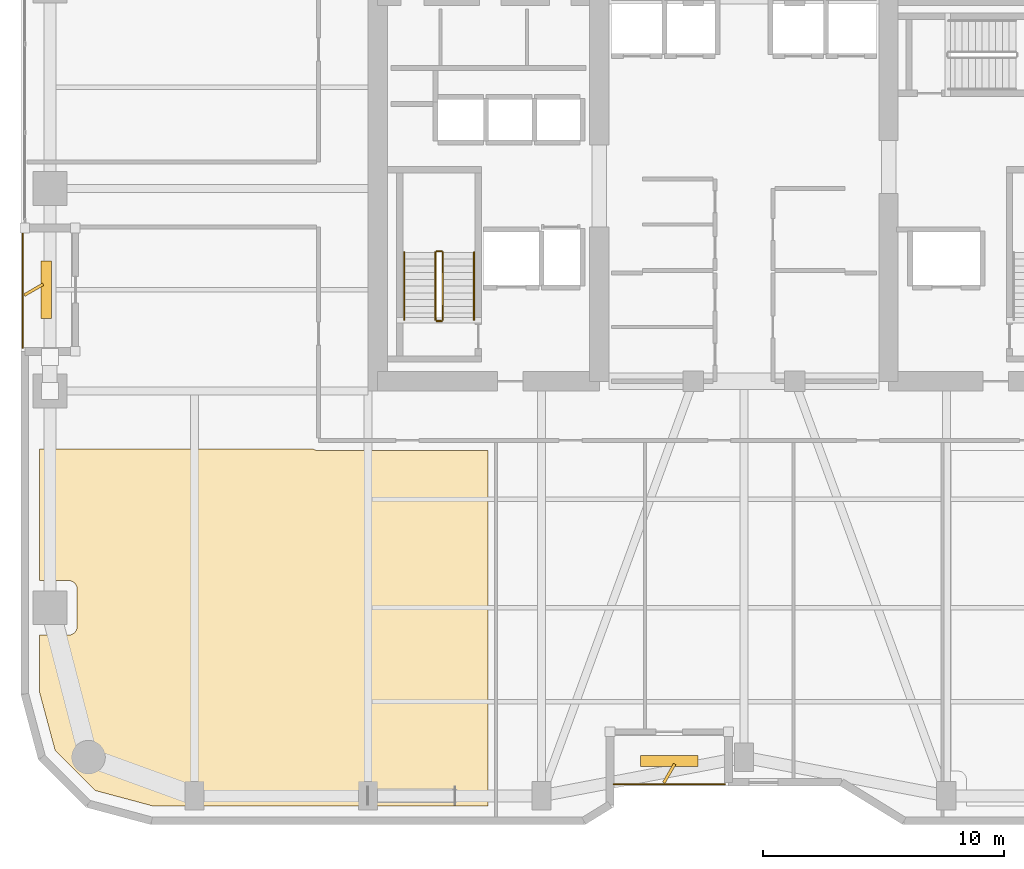
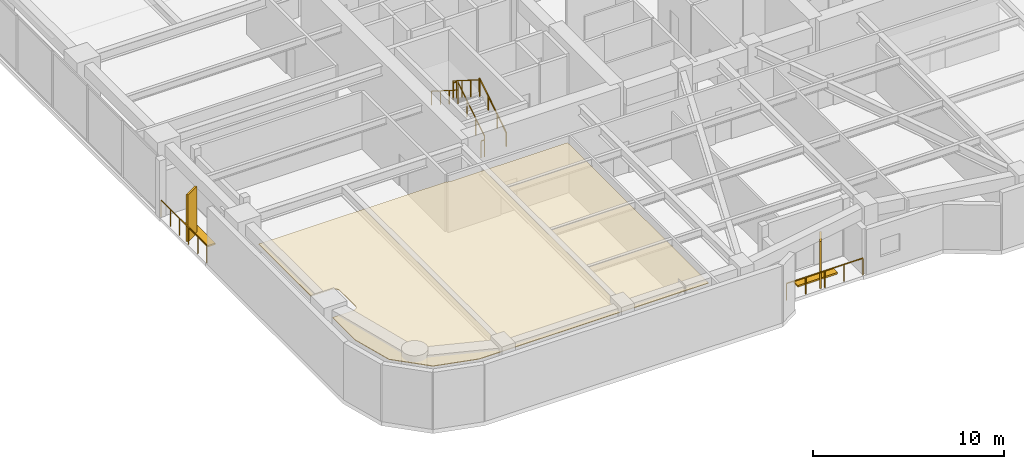
# One storey, part 22 of 24: 8 railings, 4 shading devices, 1 covering.
"""IFC4 building model written with IfcOpenShell, lengths in metres."""

from ifc_helpers import new_model, si_unit, direction, frame, origin, origin_2d, place, context, subcontext, project, spatial, polyline, rectangle, outline, extrude, material, layer, layer_set, type_object, element, save


model = new_model("IFC4")

# Units and contexts
model_context = context("Model", 3, precision=1e-05, world=origin(), true_north=direction((0.0, 1.0)))
body_context = subcontext(model_context, "Body", "Model", "MODEL_VIEW")
ifc_project = project(units=[si_unit("LENGTHUNIT", "METRE"), si_unit("AREAUNIT", "SQUARE_METRE"), si_unit("VOLUMEUNIT", "CUBIC_METRE"), si_unit("PLANEANGLEUNIT", "RADIAN"), si_unit("MASSUNIT", "GRAM", prefix="KILO")], contexts=[model_context])

# Site, building, storey
site_placement = place(None, origin())
site = spatial("IfcSite", under=ifc_project, at=site_placement, CompositionType="ELEMENT")
building_placement = place(site_placement, origin())
building = spatial("IfcBuilding", under=site, at=building_placement, Name="Kiyonajd Concourse Tower", CompositionType="ELEMENT")
storey_placement = place(building_placement, frame((0.0, 0.0, 133.800048828125)))
storey = spatial("IfcBuildingStorey", under=building, at=storey_placement, Name="L34", CompositionType="ELEMENT", Elevation=133.800048828125)

# Covering
ifc_material_1 = material(Name="Natural Oak Acoustic Timber Veneer", Category="wood")
ifc_layer = layer(ifc_material_1, 0.0400390625)
ifc_layer_set = layer_set([ifc_layer], Name="Natural Oak Acoustic Timber Veneer")
covering_type = type_object("IfcCoveringType", Name="CV-CLG-ACST", PredefinedType="CEILING", material=ifc_layer_set)
covering_placement = place(storey_placement, frame((0.0, 0.0, 3.4599609375)))
element("IfcCovering", 1, at=covering_placement, inside=storey, type_object=covering_type, Name="L34-39 Room Acoustic Ceiling", PredefinedType="CEILING", context=body_context, shape_type="SweptSolid", body=[
    extrude(outline(polyline([(19.4140625, 12.697998046875), (18.77001953125, 15.10107421875), (18.77001953125, 17.469970703125), (20.013916015625, 17.471923828125), (20.08203125, 17.485107421875), (20.14501953125, 17.510986328125), (20.201904296875, 17.549072265625), (20.2509765625, 17.597900390625), (20.2890625, 17.655029296875), (20.31494140625, 17.718017578125), (20.330078125, 17.820068359375), (20.327880859375, 19.4140625), (20.31494140625, 19.48193359375), (20.2890625, 19.544921875), (20.22705078125, 19.626953125), (20.14501953125, 19.68896484375), (20.048095703125, 19.722900390625), (19.97998046875, 19.72998046875), (18.77001953125, 19.72998046875), (18.77001953125, 25.199951171875), (30.10205078125, 25.199951171875), (30.156982421875, 25.166015625), (30.219970703125, 25.139892578125), (30.35009765625, 25.1201171875), (37.3701171875, 25.1201171875), (37.3701171875, 10.3701171875), (23.5009765625, 10.3701171875), (21.097900390625, 11.013916015625), (19.4140625, 12.697998046875)])), origin(), (0.0, 0.0, 1.0), 0.0400390625),
])

# Railings
ifc_material_2 = material(Name="Thermally Broken Anodised Aluminium", Category="aluminium")
railing_type_1 = type_object("IfcRailingType", Name="RL-GRD-LOG", PredefinedType="GUARDRAIL", material=ifc_material_2)
railing_1_placement = place(storey_placement, frame((42.60009765625, 11.280029296875, 0.0)))
element("IfcRailing", 2, at=railing_1_placement, inside=storey, type_object=railing_type_1, Name="L34 Engawa Loggia Perimeter Guard LOG-S", PredefinedType="GUARDRAIL", context=body_context, shape_type="SweptSolid", body=[
    extrude(rectangle(XDim=0.048095703125, YDim=0.048095703125, at=origin_2d()), frame((0.0, 0.0, 1.076171875), z_axis=(1.0, 0.0, 0.0), x_axis=(0.0, 1.0, 0.0)), (0.0, 0.0, 1.0), 4.599853515625),
    extrude(rectangle(XDim=0.0419921875, YDim=0.0419921875, at=origin_2d()), origin(), (0.0, 0.0, 1.0), 1.052001953125),
    extrude(rectangle(XDim=0.0419921875, YDim=0.0419921875, at=origin_2d()), frame((1.14990234375, 0.0, 0.0)), (0.0, 0.0, 1.0), 1.052001953125),
    extrude(rectangle(XDim=0.0419921875, YDim=0.0419921875, at=origin_2d()), frame((2.2998046875, 0.0, 0.0)), (0.0, 0.0, 1.0), 1.052001953125),
    extrude(rectangle(XDim=0.0419921875, YDim=0.0419921875, at=origin_2d()), frame((3.449951171875, 0.0, 0.0)), (0.0, 0.0, 1.0), 1.052001953125),
    extrude(rectangle(XDim=0.0419921875, YDim=0.0419921875, at=origin_2d()), frame((4.599853515625, 0.0, 0.0)), (0.0, 0.0, 1.0), 1.052001953125),
])
railing_2_placement = place(storey_placement, frame((18.080078125, 34.199951171875, 0.0)))
element("IfcRailing", 3, at=railing_2_placement, inside=storey, type_object=railing_type_1, Name="L34 Engawa Loggia Perimeter Guard LOG-W", PredefinedType="GUARDRAIL", context=body_context, shape_type="SweptSolid", body=[
    extrude(rectangle(XDim=0.048095703125, YDim=0.048095703125, at=origin_2d()), frame((0.0, 0.0, 1.076171875), z_axis=(0.0, -1.0, 0.0), x_axis=(1.0, 0.0, 0.0)), (0.0, 0.0, 1.0), 4.800048828125),
    extrude(rectangle(XDim=0.0419921875, YDim=0.0419921875, at=origin_2d()), origin(), (0.0, 0.0, 1.0), 1.052001953125),
    extrude(rectangle(XDim=0.0419921875, YDim=0.0419921875, at=origin_2d()), frame((0.0, -0.9599609375, 0.0)), (0.0, 0.0, 1.0), 1.052001953125),
    extrude(rectangle(XDim=0.0419921875, YDim=0.0419921875, at=origin_2d()), frame((0.0, -1.919921875, 0.0)), (0.0, 0.0, 1.0), 1.052001953125),
    extrude(rectangle(XDim=0.0419921875, YDim=0.0419921875, at=origin_2d()), frame((0.0, -2.880126953125, 0.0)), (0.0, 0.0, 1.0), 1.052001953125),
    extrude(rectangle(XDim=0.0419921875, YDim=0.0419921875, at=origin_2d()), frame((0.0, -3.840087890625, 0.0)), (0.0, 0.0, 1.0), 1.052001953125),
    extrude(rectangle(XDim=0.0419921875, YDim=0.0419921875, at=origin_2d()), frame((0.0, -4.800048828125, 0.0)), (0.0, 0.0, 1.0), 1.052001953125),
])
ifc_material_3 = material(Name="Steel ASTM A500 Grade C", Category="steel")
railing_type_2 = type_object("IfcRailingType", Name="RL-GRD-STR", PredefinedType="GUARDRAIL", material=ifc_material_3)
railing_3_placement = place(storey_placement, frame((35.5, 30.550048828125, 0.17724609375)))
element("IfcRailing", 4, at=railing_3_placement, inside=storey, type_object=railing_type_2, Name="L34 ST1 stair guard 1", PredefinedType="GUARDRAIL", context=body_context, shape_type="SweptSolid", body=[
    extrude(rectangle(XDim=0.048095703125, YDim=0.048095703125, at=origin_2d()), frame((0.0, 0.0, 1.076171875), z_axis=(0.0, 0.844908973607, 0.534910110503), x_axis=(-1.0, 0.0, 0.0)), (0.0, 0.0, 1.0), 3.31396484375),
    extrude(rectangle(XDim=0.0419921875, YDim=0.0419921875, at=origin_2d()), origin(), (0.0, 0.0, 1.0), 1.052001953125),
    extrude(rectangle(XDim=0.0419921875, YDim=0.0419921875, at=origin_2d()), frame((0.0, 0.933349609375, 0.5908203125)), (0.0, 0.0, 1.0), 1.052001953125),
    extrude(rectangle(XDim=0.0419921875, YDim=0.0419921875, at=origin_2d()), frame((0.0, 1.86669921875, 1.181884765625)), (0.0, 0.0, 1.0), 1.052001953125),
    extrude(rectangle(XDim=0.0419921875, YDim=0.0419921875, at=origin_2d()), frame((0.0, 2.800048828125, 1.772705078125)), (0.0, 0.0, 1.0), 1.052001953125),
])
railing_4_placement = place(storey_placement, frame((35.449951171875, 33.39990234375, 1.949951171875)))
element("IfcRailing", 5, at=railing_4_placement, inside=storey, type_object=railing_type_2, Name="L34 ST1 stair guard 2", PredefinedType="GUARDRAIL", context=body_context, shape_type="SweptSolid", body=[
    extrude(rectangle(XDim=0.048095703125, YDim=0.048095703125, at=origin_2d()), frame((0.0, 0.0, 1.076171875), z_axis=(-1.0, 0.0, 0.0), x_axis=(0.0, -1.0, 0.0)), (0.0, 0.0, 1.0), 0.199951171875),
    extrude(rectangle(XDim=0.0419921875, YDim=0.0419921875, at=origin_2d()), origin(), (0.0, 0.0, 1.0), 1.052001953125),
    extrude(rectangle(XDim=0.0419921875, YDim=0.0419921875, at=origin_2d()), frame((-0.199951171875, 0.0, 0.0)), (0.0, 0.0, 1.0), 1.052001953125),
])
railing_5_placement = place(storey_placement, frame((35.199951171875, 33.35009765625, 2.127197265625)))
element("IfcRailing", 6, at=railing_5_placement, inside=storey, type_object=railing_type_2, Name="L34 ST1 stair guard 3", PredefinedType="GUARDRAIL", context=body_context, shape_type="SweptSolid", body=[
    extrude(rectangle(XDim=0.048095703125, YDim=0.048095703125, at=origin_2d()), frame((0.0, 0.0, 1.076171875), z_axis=(0.0, -0.844908973607, 0.534910110503), x_axis=(1.0, 0.0, 0.0)), (0.0, 0.0, 1.0), 3.31396484375),
    extrude(rectangle(XDim=0.0419921875, YDim=0.0419921875, at=origin_2d()), origin(), (0.0, 0.0, 1.0), 1.052001953125),
    extrude(rectangle(XDim=0.0419921875, YDim=0.0419921875, at=origin_2d()), frame((0.0, -0.933349609375, 0.5908203125)), (0.0, 0.0, 1.0), 1.052001953125),
    extrude(rectangle(XDim=0.0419921875, YDim=0.0419921875, at=origin_2d()), frame((0.0, -1.86669921875, 1.181884765625)), (0.0, 0.0, 1.0), 1.052001953125),
    extrude(rectangle(XDim=0.0419921875, YDim=0.0419921875, at=origin_2d()), frame((0.0, -2.800048828125, 1.772705078125)), (0.0, 0.0, 1.0), 1.052001953125),
])
railing_6_placement = place(storey_placement, frame((35.449951171875, 30.5, 0.0)))
element("IfcRailing", 7, at=railing_6_placement, inside=storey, type_object=railing_type_2, Name="L34 ST1 stair guard 4", PredefinedType="GUARDRAIL", context=body_context, shape_type="SweptSolid", body=[
    extrude(rectangle(XDim=0.048095703125, YDim=0.048095703125, at=origin_2d()), frame((0.0, 0.0, 1.076171875), z_axis=(-1.0, 0.0, 0.0), x_axis=(0.0, -1.0, 0.0)), (0.0, 0.0, 1.0), 0.199951171875),
    extrude(rectangle(XDim=0.0419921875, YDim=0.0419921875, at=origin_2d()), origin(), (0.0, 0.0, 1.0), 1.052001953125),
    extrude(rectangle(XDim=0.0419921875, YDim=0.0419921875, at=origin_2d()), frame((-0.199951171875, 0.0, 0.0)), (0.0, 0.0, 1.0), 1.052001953125),
])
ifc_material_4 = material(Name="Brushed Stainless Steel Cab Assembly", Category="steel")
railing_type_3 = type_object("IfcRailingType", Name="RL-HND-900", PredefinedType="HANDRAIL", material=ifc_material_4)
railing_7_placement = place(storey_placement, frame((36.800048828125, 30.550048828125, 0.17724609375)))
element("IfcRailing", 8, at=railing_7_placement, inside=storey, type_object=railing_type_3, Name="L34 ST1 stair handrail 1", PredefinedType="HANDRAIL", context=body_context, shape_type="SweptSolid", body=[
    extrude(rectangle(XDim=0.048095703125, YDim=0.048095703125, at=origin_2d()), frame((0.0, 0.0, 0.8759765625), z_axis=(0.0, 0.844908973607, 0.534910110503), x_axis=(-1.0, 0.0, 0.0)), (0.0, 0.0, 1.0), 3.31396484375),
    extrude(rectangle(XDim=0.0419921875, YDim=0.0419921875, at=origin_2d()), origin(), (0.0, 0.0, 1.0), 0.851806640625),
    extrude(rectangle(XDim=0.0419921875, YDim=0.0419921875, at=origin_2d()), frame((0.0, 0.933349609375, 0.5908203125)), (0.0, 0.0, 1.0), 0.851806640625),
    extrude(rectangle(XDim=0.0419921875, YDim=0.0419921875, at=origin_2d()), frame((0.0, 1.86669921875, 1.181884765625)), (0.0, 0.0, 1.0), 0.851806640625),
    extrude(rectangle(XDim=0.0419921875, YDim=0.0419921875, at=origin_2d()), frame((0.0, 2.800048828125, 1.772705078125)), (0.0, 0.0, 1.0), 0.851806640625),
])
railing_8_placement = place(storey_placement, frame((33.89990234375, 33.35009765625, 2.127197265625)))
element("IfcRailing", 9, at=railing_8_placement, inside=storey, type_object=railing_type_3, Name="L34 ST1 stair handrail 2", PredefinedType="HANDRAIL", context=body_context, shape_type="SweptSolid", body=[
    extrude(rectangle(XDim=0.048095703125, YDim=0.048095703125, at=origin_2d()), frame((0.0, 0.0, 0.8759765625), z_axis=(0.0, -0.844908973607, 0.534910110503), x_axis=(1.0, 0.0, 0.0)), (0.0, 0.0, 1.0), 3.31396484375),
    extrude(rectangle(XDim=0.0419921875, YDim=0.0419921875, at=origin_2d()), origin(), (0.0, 0.0, 1.0), 0.851806640625),
    extrude(rectangle(XDim=0.0419921875, YDim=0.0419921875, at=origin_2d()), frame((0.0, -0.933349609375, 0.5908203125)), (0.0, 0.0, 1.0), 0.851806640625),
    extrude(rectangle(XDim=0.0419921875, YDim=0.0419921875, at=origin_2d()), frame((0.0, -1.86669921875, 1.181884765625)), (0.0, 0.0, 1.0), 0.851806640625),
    extrude(rectangle(XDim=0.0419921875, YDim=0.0419921875, at=origin_2d()), frame((0.0, -2.800048828125, 1.772705078125)), (0.0, 0.0, 1.0), 0.851806640625),
])

# Shading devices
ifc_material_5 = material(Name="Precast concrete C50/60", Category="concrete")
shading_device_type_1 = type_object("IfcShadingDeviceType", Name="SH-FIN-900", PredefinedType="USERDEFINED", material=ifc_material_5)
for number, where, z_axis, x_axis, name in (
    (10, (44.89990234375, 11.72998046875, 0.0), (0.0, 0.0, 1.0), (0.5, 0.866025403784, 0.0), "L34 Angled Koshi Solar Fin LOG-S"),
    (11, (18.530029296875, 31.800048828125, 0.0), (0.0, 0.0, 1.0), (0.866025403784, 0.5, 0.0), "L34 Angled Koshi Solar Fin LOG-W"),
):
    element("IfcShadingDevice", number, at=place(storey_placement, frame(where, z_axis=z_axis, x_axis=x_axis)), inside=storey, type_object=shading_device_type_1, Name=name, ObjectType="FIN", PredefinedType="USERDEFINED", context=body_context, shape_type="SweptSolid", body=[
        extrude(rectangle(XDim=0.89990234375, YDim=0.1201171875, at=origin_2d()), origin(), (0.0, 0.0, 1.0), 3.0),
    ])
shading_device_type_2 = type_object("IfcShadingDeviceType", Name="SH-LVR-600", PredefinedType="JALOUSIE", material=ifc_material_2)
for number, where, z_axis, x_axis, name in (
    (12, (44.89990234375, 12.25, 0.0), (0.0, 0.0, 1.0), (1.0, 0.0, 0.0), "L34 Loggia Threshold Louver LOG-S"),
    (13, (19.050048828125, 31.800048828125, 0.0), (0.0, 0.0, 1.0), (0.0, 1.0, 0.0), "L34 Loggia Threshold Louver LOG-W"),
):
    element("IfcShadingDevice", number, at=place(storey_placement, frame(where, z_axis=z_axis, x_axis=x_axis)), inside=storey, type_object=shading_device_type_2, Name=name, PredefinedType="JALOUSIE", context=body_context, shape_type="SweptSolid", body=[
        extrude(rectangle(XDim=2.39990234375, YDim=0.449951171875, at=origin_2d()), origin(), (0.0, 0.0, 1.0), 0.10009765625),
    ])

save(model, "model.ifc")
